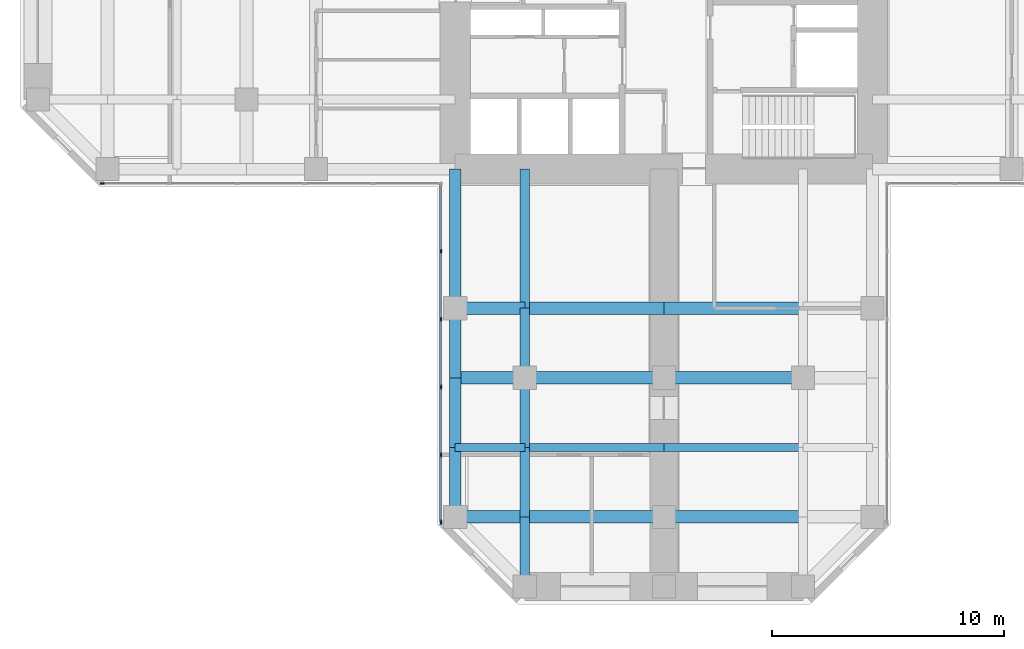
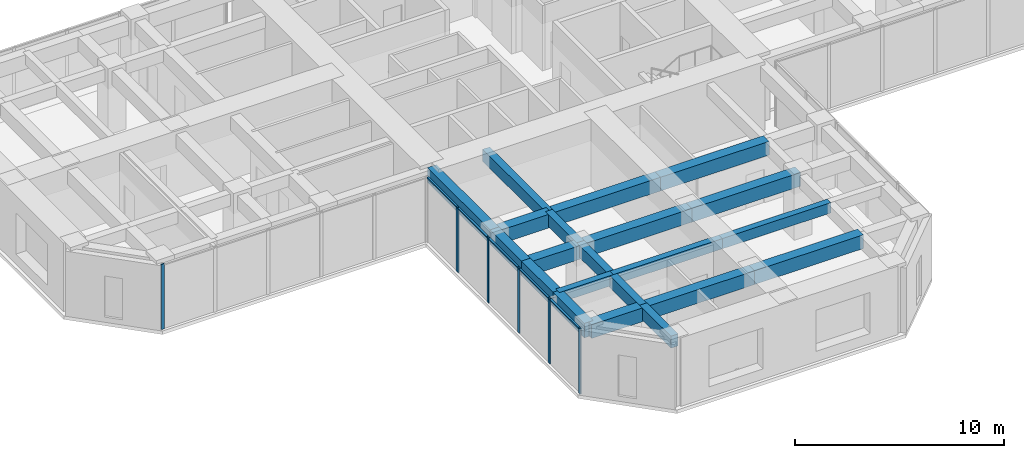
# One storey, part 2 of 12: 21 beams, 11 members, 2 elements without a shape of their own.
"""IFC4 building model written with IfcOpenShell, lengths in metres."""

from ifc_helpers import new_model, si_unit, direction, frame, origin, origin_2d, place, context, subcontext, project, spatial, rectangle, extrude, material, material_profile, profile_set, type_object, element, aggregate, save


model = new_model("IFC4")

# Units and contexts
model_context = context("Model", 3, precision=1e-05, world=origin(), true_north=direction((0.0, 1.0)))
body_context = subcontext(model_context, "Body", "Model", "MODEL_VIEW")
ifc_project = project(units=[si_unit("LENGTHUNIT", "METRE"), si_unit("AREAUNIT", "SQUARE_METRE"), si_unit("VOLUMEUNIT", "CUBIC_METRE"), si_unit("PLANEANGLEUNIT", "RADIAN"), si_unit("MASSUNIT", "GRAM", prefix="KILO")], contexts=[model_context])

# Site, building, storey
site_placement = place(None, origin())
site = spatial("IfcSite", under=ifc_project, at=site_placement, CompositionType="ELEMENT")
building_placement = place(site_placement, origin())
building = spatial("IfcBuilding", under=site, at=building_placement, Name="Torre Cruceta", CompositionType="ELEMENT")
storey_placement = place(building_placement, frame((0.0, 0.0, 108.5)))
storey = spatial("IfcBuildingStorey", under=building, at=storey_placement, Name="L26", CompositionType="ELEMENT", Elevation=108.5)

# Beams
ifc_material_1 = material(Name="Concrete G60 (fck 60 MPa)", Category="concrete")
ifc_material_profile_1 = material_profile(ifc_material_1, rectangle(XDim=0.39990234375, YDim=0.699951171875, at=origin_2d()), Name="RC 400X700")
ifc_profile_set_1 = profile_set([ifc_material_profile_1], Name="Concrete G60 (fck 60 MPa)")
beam_type_1 = type_object("IfcBeamType", Name="COLUMN LINE BEAM RC 400X700", PredefinedType="BEAM", material=ifc_profile_set_1)
beam_1_placement = place(storey_placement, frame((-6.0, -9.0, 3.449951171875), z_axis=(0.0, -1.0, 0.0), x_axis=(1.0, 0.0, 0.0)))
element("IfcBeam", 1, at=beam_1_placement, inside=storey, type_object=beam_type_1, Name="LB5 L26 S col- 1", PredefinedType="BEAM", context=body_context, shape_type="SweptSolid", body=[
    extrude(rectangle(XDim=0.39990234375, YDim=0.699951171875, at=origin_2d()), origin(), (0.0, 0.0, 1.0), 6.0),
])
for number, where, z_axis, x_axis, name in (
    (2, (-6.0, -15.0, 3.449951171875), (0.0, -1.0, 0.0), (1.0, 0.0, 0.0), "LB5 L26 S col- 2"),
    (3, (-6.0, -18.0, 3.449951171875), (0.0, -1.0, 0.0), (1.0, 0.0, 0.0), "LB5 L26 S col- 3"),
    (4, (-6.0, -21.0, 3.449951171875), (0.0, -1.0, 0.0), (1.0, 0.0, 0.0), "LB5 L26 S col- 4"),
    (5, (-6.0, -24.0, 3.449951171875), (0.0, -1.0, 0.0), (1.0, 0.0, 0.0), "LB5 L26 S col- 5"),
):
    element("IfcBeam", number, at=place(storey_placement, frame(where, z_axis=z_axis, x_axis=x_axis)), inside=storey, type_object=beam_type_1, Name=name, PredefinedType="BEAM", context=body_context, shape_type="SweptSolid", body=[
        extrude(rectangle(XDim=0.39990234375, YDim=0.699951171875, at=origin_2d()), origin(), (0.0, 0.0, 1.0), 3.0),
    ])
ifc_material_2 = material(Name="Concrete G60 (fck 60 MPa)", Category="concrete")
ifc_material_profile_2 = material_profile(ifc_material_2, rectangle(XDim=0.550048828125, YDim=0.800048828125, at=origin_2d()), Name="RC 550X800")
ifc_profile_set_2 = profile_set([ifc_material_profile_2], Name="Concrete G60 (fck 60 MPa)")
beam_type_2 = type_object("IfcBeamType", Name="CROSS BEAM RC 550X800", PredefinedType="BEAM", material=ifc_profile_set_2)
beam_2_placement = place(storey_placement, frame((-9.0, -15.0, 3.39990234375), z_axis=(1.0, 0.0, 0.0), x_axis=(0.0, 1.0, 0.0)))
element("IfcBeam", 6, at=beam_2_placement, inside=storey, type_object=beam_type_2, Name="GB5 L26 S cross15 1", PredefinedType="BEAM", context=body_context, shape_type="SweptSolid", body=[
    extrude(rectangle(XDim=0.550048828125, YDim=0.800048828125, at=origin_2d()), origin(), (0.0, 0.0, 1.0), 3.0),
])
for number, where, z_axis, x_axis, name in (
    (7, (-6.0, -15.0, 3.39990234375), (1.0, 0.0, 0.0), (0.0, 1.0, 0.0), "GB5 L26 S cross15 2"),
    (8, (0.0, -15.0, 3.39990234375), (1.0, 0.0, 0.0), (0.0, 1.0, 0.0), "GB5 L26 S cross15 3"),
):
    element("IfcBeam", number, at=place(storey_placement, frame(where, z_axis=z_axis, x_axis=x_axis)), inside=storey, type_object=beam_type_2, Name=name, PredefinedType="BEAM", context=body_context, shape_type="SweptSolid", body=[
        extrude(rectangle(XDim=0.550048828125, YDim=0.800048828125, at=origin_2d()), origin(), (0.0, 0.0, 1.0), 6.0),
    ])
beam_3_placement = place(storey_placement, frame((-9.0, -18.0, 3.39990234375), z_axis=(1.0, 0.0, 0.0), x_axis=(0.0, 1.0, 0.0)))
element("IfcBeam", 9, at=beam_3_placement, inside=storey, type_object=beam_type_2, Name="GB5 L26 S cross18 1", PredefinedType="BEAM", context=body_context, shape_type="SweptSolid", body=[
    extrude(rectangle(XDim=0.550048828125, YDim=0.800048828125, at=origin_2d()), origin(), (0.0, 0.0, 1.0), 3.0),
])
for number, where, z_axis, x_axis, name in (
    (10, (-6.0, -18.0, 3.39990234375), (1.0, 0.0, 0.0), (0.0, 1.0, 0.0), "GB5 L26 S cross18 2"),
    (11, (0.0, -18.0, 3.39990234375), (1.0, 0.0, 0.0), (0.0, 1.0, 0.0), "GB5 L26 S cross18 3"),
):
    element("IfcBeam", number, at=place(storey_placement, frame(where, z_axis=z_axis, x_axis=x_axis)), inside=storey, type_object=beam_type_2, Name=name, PredefinedType="BEAM", context=body_context, shape_type="SweptSolid", body=[
        extrude(rectangle(XDim=0.550048828125, YDim=0.800048828125, at=origin_2d()), origin(), (0.0, 0.0, 1.0), 6.0),
    ])
beam_4_placement = place(storey_placement, frame((-9.0, -24.0, 3.39990234375), z_axis=(1.0, 0.0, 0.0), x_axis=(0.0, 1.0, 0.0)))
element("IfcBeam", 12, at=beam_4_placement, inside=storey, type_object=beam_type_2, Name="GB5 L26 S cross24 1", PredefinedType="BEAM", context=body_context, shape_type="SweptSolid", body=[
    extrude(rectangle(XDim=0.550048828125, YDim=0.800048828125, at=origin_2d()), origin(), (0.0, 0.0, 1.0), 3.0),
])
for number, where, z_axis, x_axis, name in (
    (13, (-6.0, -24.0, 3.39990234375), (1.0, 0.0, 0.0), (0.0, 1.0, 0.0), "GB5 L26 S cross24 2"),
    (14, (0.0, -24.0, 3.39990234375), (1.0, 0.0, 0.0), (0.0, 1.0, 0.0), "GB5 L26 S cross24 3"),
):
    element("IfcBeam", number, at=place(storey_placement, frame(where, z_axis=z_axis, x_axis=x_axis)), inside=storey, type_object=beam_type_2, Name=name, PredefinedType="BEAM", context=body_context, shape_type="SweptSolid", body=[
        extrude(rectangle(XDim=0.550048828125, YDim=0.800048828125, at=origin_2d()), origin(), (0.0, 0.0, 1.0), 6.0),
    ])

# Curtain wall, member
ifc_material_3 = material(Name="Aluminium unitised curtain wall", Category="aluminium")
curtain_wall_type = type_object("IfcCurtainWallType", Name="CURTAIN WALL CW-B OFFICE MID RISE", PredefinedType="USERDEFINED", material=ifc_material_3)
curtain_wall_1_placement = place(storey_placement, origin())
curtain_wall_1 = element("IfcCurtainWall", 15, at=curtain_wall_1_placement, inside=storey, type_object=curtain_wall_type, Name="CW-B L26 W side 14", ObjectType="UNITISED", PredefinedType="USERDEFINED")
ifc_material_4 = material(Name="Aluminium mullion", Category="aluminium")
ifc_material_profile_3 = material_profile(ifc_material_4, rectangle(XDim=0.06494140625, YDim=0.179931640625, at=origin_2d()), Name="AL 65X180")
ifc_profile_set_3 = profile_set([ifc_material_profile_3], Name="Aluminium mullion")
member_type_1 = type_object("IfcMemberType", Name="CW-B MULLION 65X180", PredefinedType="MULLION", material=ifc_profile_set_3)
member_1_placement = place(storey_placement, frame((-24.224365234375, -9.6201171875, 0.0), z_axis=(0.0, 0.0, 1.0), x_axis=(0.0, 1.0, 0.0)))
member_1 = element("IfcMember", 16, at=member_1_placement, type_object=member_type_1, Name="CW-B mullion 1", PredefinedType="MULLION", context=body_context, shape_type="SweptSolid", body=[
    extrude(rectangle(XDim=0.06494140625, YDim=0.179931640625, at=origin_2d()), origin(), (0.0, 0.0, 1.0), 3.800048828125),
])
aggregate(curtain_wall_1, [member_1])

# Curtain wall, members
curtain_wall_2_placement = place(storey_placement, origin())
curtain_wall_2 = element("IfcCurtainWall", 17, at=curtain_wall_2_placement, inside=storey, type_object=curtain_wall_type, Name="CW-B L26 S side 15", ObjectType="UNITISED", PredefinedType="USERDEFINED")
member_2_placement = place(storey_placement, frame((-9.6201171875, -12.54736328125, 0.0), z_axis=(0.0, 0.0, 1.0), x_axis=(1.0, 0.0, 0.0)))
member_2 = element("IfcMember", 18, at=member_2_placement, type_object=member_type_1, Name="CW-B mullion 2", PredefinedType="MULLION", context=body_context, shape_type="SweptSolid", body=[
    extrude(rectangle(XDim=0.06494140625, YDim=0.179931640625, at=origin_2d()), origin(), (0.0, 0.0, 1.0), 3.800048828125),
])
member_3_placement = place(storey_placement, frame((-9.6201171875, -15.474609375, 0.0), z_axis=(0.0, 0.0, 1.0), x_axis=(1.0, 0.0, 0.0)))
member_3 = element("IfcMember", 19, at=member_3_placement, type_object=member_type_1, Name="CW-B mullion 3", PredefinedType="MULLION", context=body_context, shape_type="SweptSolid", body=[
    extrude(rectangle(XDim=0.06494140625, YDim=0.179931640625, at=origin_2d()), origin(), (0.0, 0.0, 1.0), 3.800048828125),
])
member_4_placement = place(storey_placement, frame((-9.6201171875, -18.402099609375, 0.0), z_axis=(0.0, 0.0, 1.0), x_axis=(1.0, 0.0, 0.0)))
member_4 = element("IfcMember", 20, at=member_4_placement, type_object=member_type_1, Name="CW-B mullion 4", PredefinedType="MULLION", context=body_context, shape_type="SweptSolid", body=[
    extrude(rectangle(XDim=0.06494140625, YDim=0.179931640625, at=origin_2d()), origin(), (0.0, 0.0, 1.0), 3.800048828125),
])
member_5_placement = place(storey_placement, frame((-9.6201171875, -21.329345703125, 0.0), z_axis=(0.0, 0.0, 1.0), x_axis=(1.0, 0.0, 0.0)))
member_5 = element("IfcMember", 21, at=member_5_placement, type_object=member_type_1, Name="CW-B mullion 5", PredefinedType="MULLION", context=body_context, shape_type="SweptSolid", body=[
    extrude(rectangle(XDim=0.06494140625, YDim=0.179931640625, at=origin_2d()), origin(), (0.0, 0.0, 1.0), 3.800048828125),
])
member_6_placement = place(storey_placement, frame((-9.6201171875, -24.224365234375, 0.0), z_axis=(0.0, 0.0, 1.0), x_axis=(1.0, 0.0, 0.0)))
member_6 = element("IfcMember", 22, at=member_6_placement, type_object=member_type_1, Name="CW-B mullion 6", PredefinedType="MULLION", context=body_context, shape_type="SweptSolid", body=[
    extrude(rectangle(XDim=0.06494140625, YDim=0.179931640625, at=origin_2d()), origin(), (0.0, 0.0, 1.0), 3.800048828125),
])
ifc_material_5 = material(Name="Aluminium transom", Category="aluminium")
ifc_material_profile_4 = material_profile(ifc_material_5, rectangle(XDim=0.110107421875, YDim=0.06494140625, at=origin_2d()), Name="AL 110X65")
ifc_profile_set_4 = profile_set([ifc_material_profile_4], Name="Aluminium transom")
member_type_2 = type_object("IfcMemberType", Name="CW-B TRANSOM 65X110", PredefinedType="USERDEFINED", material=ifc_profile_set_4)
member_7_placement = place(storey_placement, frame((-9.6201171875, -9.68505859375, 3.767578125), z_axis=(0.0, -1.0, 0.0), x_axis=(1.0, 0.0, 0.0)))
member_7 = element("IfcMember", 23, at=member_7_placement, type_object=member_type_2, Name="CW-B transom 1", ObjectType="TRANSOM", PredefinedType="USERDEFINED", context=body_context, shape_type="SweptSolid", body=[
    extrude(rectangle(XDim=0.110107421875, YDim=0.06494140625, at=origin_2d()), origin(), (0.0, 0.0, 1.0), 2.829833984375),
])
member_8_placement = place(storey_placement, frame((-9.6201171875, -12.579833984375, 3.767578125), z_axis=(0.0, -1.0, 0.0), x_axis=(1.0, 0.0, 0.0)))
member_8 = element("IfcMember", 24, at=member_8_placement, type_object=member_type_2, Name="CW-B transom 2", ObjectType="TRANSOM", PredefinedType="USERDEFINED", context=body_context, shape_type="SweptSolid", body=[
    extrude(rectangle(XDim=0.110107421875, YDim=0.06494140625, at=origin_2d()), origin(), (0.0, 0.0, 1.0), 2.8623046875),
])
member_9_placement = place(storey_placement, frame((-9.6201171875, -15.50732421875, 3.767578125), z_axis=(0.0, -1.0, 0.0), x_axis=(1.0, 0.0, 0.0)))
member_9 = element("IfcMember", 25, at=member_9_placement, type_object=member_type_2, Name="CW-B transom 3", ObjectType="TRANSOM", PredefinedType="USERDEFINED", context=body_context, shape_type="SweptSolid", body=[
    extrude(rectangle(XDim=0.110107421875, YDim=0.06494140625, at=origin_2d()), origin(), (0.0, 0.0, 1.0), 2.8623046875),
])
member_10_placement = place(storey_placement, frame((-9.6201171875, -18.4345703125, 3.767578125), z_axis=(0.0, -1.0, 0.0), x_axis=(1.0, 0.0, 0.0)))
member_10 = element("IfcMember", 26, at=member_10_placement, type_object=member_type_2, Name="CW-B transom 4", ObjectType="TRANSOM", PredefinedType="USERDEFINED", context=body_context, shape_type="SweptSolid", body=[
    extrude(rectangle(XDim=0.110107421875, YDim=0.06494140625, at=origin_2d()), origin(), (0.0, 0.0, 1.0), 2.8623046875),
])
member_11_placement = place(storey_placement, frame((-9.6201171875, -21.362060546875, 3.767578125), z_axis=(0.0, -1.0, 0.0), x_axis=(1.0, 0.0, 0.0)))
member_11 = element("IfcMember", 27, at=member_11_placement, type_object=member_type_2, Name="CW-B transom 5", ObjectType="TRANSOM", PredefinedType="USERDEFINED", context=body_context, shape_type="SweptSolid", body=[
    extrude(rectangle(XDim=0.110107421875, YDim=0.06494140625, at=origin_2d()), origin(), (0.0, 0.0, 1.0), 2.829833984375),
])
aggregate(curtain_wall_2, [member_2, member_3, member_4, member_5, member_6, member_7, member_8, member_9, member_10, member_11])

# Beams
ifc_material_6 = material(Name="Concrete G60 (fck 60 MPa)", Category="concrete")
ifc_material_profile_5 = material_profile(ifc_material_6, rectangle(XDim=0.35009765625, YDim=0.60009765625, at=origin_2d()), Name="RC 350X600")
ifc_profile_set_5 = profile_set([ifc_material_profile_5], Name="Concrete G60 (fck 60 MPa)")
beam_type_3 = type_object("IfcBeamType", Name="SECONDARY BEAM RC 350X600", PredefinedType="JOIST", material=ifc_profile_set_5)
beam_5_placement = place(storey_placement, frame((-9.0, -21.0, 3.5), z_axis=(1.0, 0.0, 0.0), x_axis=(0.0, 1.0, 0.0)))
element("IfcBeam", 28, at=beam_5_placement, inside=storey, type_object=beam_type_3, Name="JB5 L26 S sec21 1", PredefinedType="JOIST", context=body_context, shape_type="SweptSolid", body=[
    extrude(rectangle(XDim=0.35009765625, YDim=0.60009765625, at=origin_2d()), origin(), (0.0, 0.0, 1.0), 3.0),
])
for number, where, z_axis, x_axis, name in (
    (29, (-6.0, -21.0, 3.5), (1.0, 0.0, 0.0), (0.0, 1.0, 0.0), "JB5 L26 S sec21 2"),
    (30, (0.0, -21.0, 3.5), (1.0, 0.0, 0.0), (0.0, 1.0, 0.0), "JB5 L26 S sec21 3"),
):
    element("IfcBeam", number, at=place(storey_placement, frame(where, z_axis=z_axis, x_axis=x_axis)), inside=storey, type_object=beam_type_3, Name=name, PredefinedType="JOIST", context=body_context, shape_type="SweptSolid", body=[
        extrude(rectangle(XDim=0.35009765625, YDim=0.60009765625, at=origin_2d()), origin(), (0.0, 0.0, 1.0), 6.0),
    ])
ifc_material_7 = material(Name="Concrete G60 (fck 60 MPa)", Category="concrete")
ifc_material_profile_6 = material_profile(ifc_material_7, rectangle(XDim=0.5, YDim=0.85009765625, at=origin_2d()), Name="RC 500X850")
ifc_profile_set_6 = profile_set([ifc_material_profile_6], Name="Concrete G60 (fck 60 MPa)")
beam_type_4 = type_object("IfcBeamType", Name="SPANDREL BEAM RC 500X850", PredefinedType="SPANDREL", material=ifc_profile_set_6)
beam_6_placement = place(storey_placement, frame((-9.0, -9.0, 3.375), z_axis=(0.0, -1.0, 0.0), x_axis=(1.0, 0.0, 0.0)))
element("IfcBeam", 31, at=beam_6_placement, inside=storey, type_object=beam_type_4, Name="SB5 L26 S side- 1", PredefinedType="SPANDREL", context=body_context, shape_type="SweptSolid", body=[
    extrude(rectangle(XDim=0.5, YDim=0.85009765625, at=origin_2d()), origin(), (0.0, 0.0, 1.0), 6.0),
])
for number, where, z_axis, x_axis, name in (
    (32, (-9.0, -15.0, 3.375), (0.0, -1.0, 0.0), (1.0, 0.0, 0.0), "SB5 L26 S side- 2"),
    (33, (-9.0, -18.0, 3.375), (0.0, -1.0, 0.0), (1.0, 0.0, 0.0), "SB5 L26 S side- 3"),
    (34, (-9.0, -21.0, 3.375), (0.0, -1.0, 0.0), (1.0, 0.0, 0.0), "SB5 L26 S side- 4"),
):
    element("IfcBeam", number, at=place(storey_placement, frame(where, z_axis=z_axis, x_axis=x_axis)), inside=storey, type_object=beam_type_4, Name=name, PredefinedType="SPANDREL", context=body_context, shape_type="SweptSolid", body=[
        extrude(rectangle(XDim=0.5, YDim=0.85009765625, at=origin_2d()), origin(), (0.0, 0.0, 1.0), 3.0),
    ])

save(model, "model.ifc")
